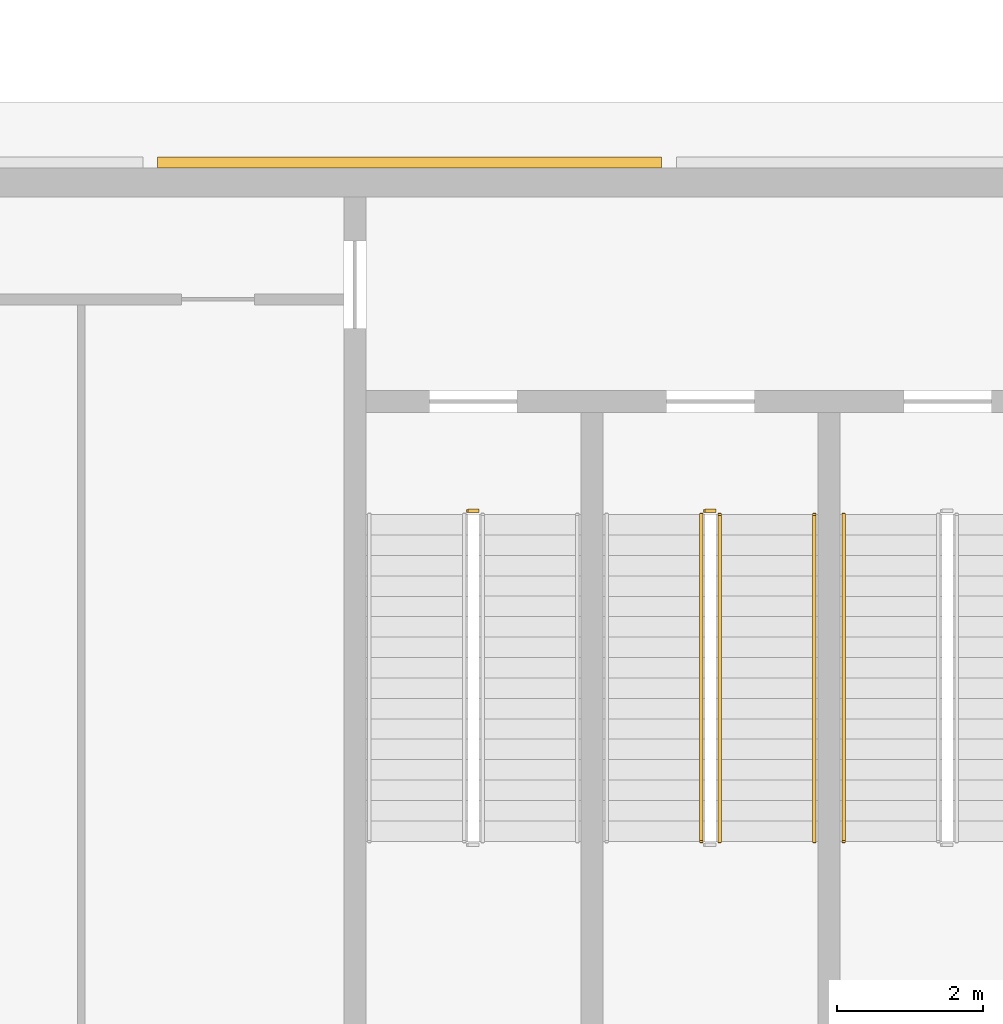
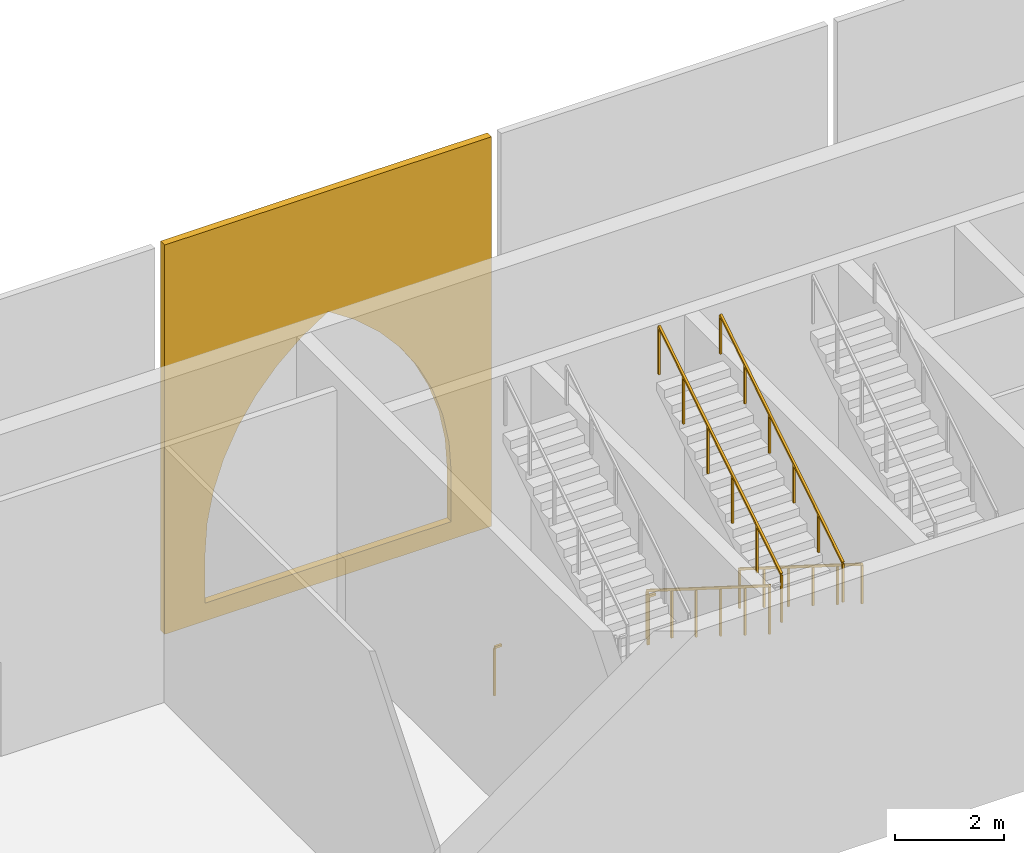
# One storey, part 48 of 74: 6 railings, 1 covering.
"""IFC4 building model written with IfcOpenShell, lengths in metres."""

from ifc_helpers import new_model, si_unit, direction, frame, origin, origin_2d, place, context, subcontext, project, spatial, polyline, rectangle, outline, extrude, material, layer, layer_set, type_object, element, save


model = new_model("IFC4")

# Units and contexts
model_context = context("Model", 3, precision=1e-05, world=origin(), true_north=direction((0.0, 1.0)))
body_context = subcontext(model_context, "Body", "Model", "MODEL_VIEW")
ifc_project = project(units=[si_unit("LENGTHUNIT", "METRE"), si_unit("AREAUNIT", "SQUARE_METRE"), si_unit("VOLUMEUNIT", "CUBIC_METRE"), si_unit("PLANEANGLEUNIT", "RADIAN"), si_unit("MASSUNIT", "GRAM", prefix="KILO")], contexts=[model_context])

# Site, building, storey
site_placement = place(None, origin())
site = spatial("IfcSite", under=ifc_project, at=site_placement, CompositionType="ELEMENT")
building_placement = place(site_placement, origin())
building = spatial("IfcBuilding", under=site, at=building_placement, Name="Noorbagh Ring Tower", CompositionType="ELEMENT")
storey_placement = place(building_placement, frame((0.0, 0.0, 13.5)))
storey = spatial("IfcBuildingStorey", under=building, at=storey_placement, Name="L02", CompositionType="ELEMENT", Elevation=13.5)

# Covering
ifc_material_1 = material(Name="Red sandstone cladding", Category="masonry")
ifc_layer = layer(ifc_material_1, 0.14990234375)
ifc_layer_set = layer_set([ifc_layer], Name="Red sandstone cladding")
covering_type = type_object("IfcCoveringType", Name="STH-BLIND", PredefinedType="USERDEFINED", material=ifc_layer_set)
covering_placement = place(storey_placement, frame((-124.04443359375, 31.14990234375, 0.0), z_axis=(0.0, 1.0, 0.0), x_axis=(-1.0, 0.0, 0.0)))
element("IfcCovering", 1, at=covering_placement, inside=storey, type_object=covering_type, Name="Blind arch bay", ObjectType="ARCH", PredefinedType="USERDEFINED", context=body_context, shape_type="SweptSolid", body=[
    extrude(outline(polyline([(0.0, 0.0), (6.9111328125, 0.0), (6.9111328125, 8.699951171875), (0.0, 8.699951171875), (0.0, 0.0)]), holes=[polyline([(0.855712890625, 0.39990234375), (0.855712890625, 1.5), (0.900146484375, 2.1787109375), (1.03271484375, 2.845947265625), (1.25146484375, 3.489990234375), (1.55224609375, 4.10009765625), (1.93017578125, 4.66552734375), (2.378662109375, 5.177001953125), (2.889892578125, 5.62548828125), (3.45556640625, 6.00341796875), (4.021240234375, 5.62548828125), (4.53271484375, 5.177001953125), (4.98095703125, 4.66552734375), (5.35888671875, 4.10009765625), (5.659912109375, 3.489990234375), (5.87841796875, 2.845947265625), (6.010986328125, 2.1787109375), (6.0556640625, 1.5), (6.0556640625, 0.39990234375), (0.855712890625, 0.39990234375)])]), origin(), (0.0, 0.0, -1.0), 0.14990234375),
])

# Railings
ifc_material_2 = material(Name="Stainless steel", Category="steel")
railing_type_1 = type_object("IfcRailingType", Name="TH-STAIR-GUARD", PredefinedType="GUARDRAIL", material=ifc_material_2)
railing_1_placement = place(storey_placement, frame((-123.5, 26.25, 0.176513671875)))
element("IfcRailing", 2, at=railing_1_placement, inside=storey, type_object=railing_type_1, Name="L02 TSN1 stair guard 1", PredefinedType="GUARDRAIL", context=body_context, shape_type="SweptSolid", body=[
    extrude(rectangle(XDim=0.048095703125, YDim=0.048095703125, at=origin_2d()), frame((0.0, 0.0, 1.076171875), z_axis=(0.0, -0.845997938375, 0.533186166611), x_axis=(1.0, 0.0, 0.0)), (0.0, 0.0, 1.0), 5.29541015625),
    extrude(rectangle(XDim=0.0419921875, YDim=0.0419921875, at=origin_2d()), origin(), (0.0, 0.0, 1.0), 1.052001953125),
    extrude(rectangle(XDim=0.0419921875, YDim=0.0419921875, at=origin_2d()), frame((0.0, -0.89599609375, 0.564697265625)), (0.0, 0.0, 1.0), 1.052001953125),
    extrude(rectangle(XDim=0.0419921875, YDim=0.0419921875, at=origin_2d()), frame((0.0, -1.7919921875, 1.12939453125)), (0.0, 0.0, 1.0), 1.052001953125),
    extrude(rectangle(XDim=0.0419921875, YDim=0.0419921875, at=origin_2d()), frame((0.0, -2.68798828125, 1.694091796875)), (0.0, 0.0, 1.0), 1.052001953125),
    extrude(rectangle(XDim=0.0419921875, YDim=0.0419921875, at=origin_2d()), frame((0.0, -3.583984375, 2.2587890625)), (0.0, 0.0, 1.0), 1.052001953125),
    extrude(rectangle(XDim=0.0419921875, YDim=0.0419921875, at=origin_2d()), frame((0.0, -4.47998046875, 2.823486328125)), (0.0, 0.0, 1.0), 1.052001953125),
])
railing_2_placement = place(storey_placement, frame((-123.25, 21.77001953125, 3.176513671875)))
element("IfcRailing", 3, at=railing_2_placement, inside=storey, type_object=railing_type_1, Name="L02 TSN1 stair guard 3", PredefinedType="GUARDRAIL", context=body_context, shape_type="SweptSolid", body=[
    extrude(rectangle(XDim=0.048095703125, YDim=0.048095703125, at=origin_2d()), frame((0.0, 0.0, 1.076171875), z_axis=(0.0, 0.845997938375, 0.533186166611), x_axis=(-1.0, 0.0, 0.0)), (0.0, 0.0, 1.0), 5.29541015625),
    extrude(rectangle(XDim=0.0419921875, YDim=0.0419921875, at=origin_2d()), origin(), (0.0, 0.0, 1.0), 1.052001953125),
    extrude(rectangle(XDim=0.0419921875, YDim=0.0419921875, at=origin_2d()), frame((0.0, 0.89599609375, 0.564697265625)), (0.0, 0.0, 1.0), 1.052001953125),
    extrude(rectangle(XDim=0.0419921875, YDim=0.0419921875, at=origin_2d()), frame((0.0, 1.7919921875, 1.12939453125)), (0.0, 0.0, 1.0), 1.052001953125),
    extrude(rectangle(XDim=0.0419921875, YDim=0.0419921875, at=origin_2d()), frame((0.0, 2.68798828125, 1.694091796875)), (0.0, 0.0, 1.0), 1.052001953125),
    extrude(rectangle(XDim=0.0419921875, YDim=0.0419921875, at=origin_2d()), frame((0.0, 3.583984375, 2.2587890625)), (0.0, 0.0, 1.0), 1.052001953125),
    extrude(rectangle(XDim=0.0419921875, YDim=0.0419921875, at=origin_2d()), frame((0.0, 4.47998046875, 2.823486328125)), (0.0, 0.0, 1.0), 1.052001953125),
])
for number, where, name in (
    (4, (-123.449951171875, 26.300048828125, 0.0), "L02 TSN1 stair guard 4"),
    (5, (-126.699951171875, 26.300048828125, 0.0), "L02 TSN3 stair guard 4"),
):
    element("IfcRailing", number, at=place(storey_placement, frame(where)), inside=storey, type_object=railing_type_1, Name=name, PredefinedType="GUARDRAIL", context=body_context, shape_type="SweptSolid", body=[
        extrude(rectangle(XDim=0.048095703125, YDim=0.048095703125, at=origin_2d()), frame((0.0, 0.0, 1.076171875), z_axis=(1.0, 0.0, 0.0), x_axis=(0.0, 1.0, 0.0)), (0.0, 0.0, 1.0), 0.14990234375),
        extrude(rectangle(XDim=0.0419921875, YDim=0.0419921875, at=origin_2d()), origin(), (0.0, 0.0, 1.0), 1.052001953125),
    ])
ifc_material_3 = material(Name="Stainless steel", Category="steel")
railing_type_2 = type_object("IfcRailingType", Name="TH-STAIR-HANDRAIL", PredefinedType="HANDRAIL", material=ifc_material_3)
railing_3_placement = place(storey_placement, frame((-121.949951171875, 21.77001953125, 3.176513671875)))
element("IfcRailing", 6, at=railing_3_placement, inside=storey, type_object=railing_type_2, Name="L02 TSN1 stair handrail 2", PredefinedType="HANDRAIL", context=body_context, shape_type="SweptSolid", body=[
    extrude(rectangle(XDim=0.048095703125, YDim=0.048095703125, at=origin_2d()), frame((0.0, 0.0, 0.8759765625), z_axis=(0.0, 0.845997938375, 0.533186166611), x_axis=(-1.0, 0.0, 0.0)), (0.0, 0.0, 1.0), 5.29541015625),
    extrude(rectangle(XDim=0.0419921875, YDim=0.0419921875, at=origin_2d()), origin(), (0.0, 0.0, 1.0), 0.851806640625),
    extrude(rectangle(XDim=0.0419921875, YDim=0.0419921875, at=origin_2d()), frame((0.0, 0.89599609375, 0.564697265625)), (0.0, 0.0, 1.0), 0.851806640625),
    extrude(rectangle(XDim=0.0419921875, YDim=0.0419921875, at=origin_2d()), frame((0.0, 1.7919921875, 1.12939453125)), (0.0, 0.0, 1.0), 0.851806640625),
    extrude(rectangle(XDim=0.0419921875, YDim=0.0419921875, at=origin_2d()), frame((0.0, 2.68798828125, 1.694091796875)), (0.0, 0.0, 1.0), 0.851806640625),
    extrude(rectangle(XDim=0.0419921875, YDim=0.0419921875, at=origin_2d()), frame((0.0, 3.583984375, 2.2587890625)), (0.0, 0.0, 1.0), 0.851806640625),
    extrude(rectangle(XDim=0.0419921875, YDim=0.0419921875, at=origin_2d()), frame((0.0, 4.47998046875, 2.823486328125)), (0.0, 0.0, 1.0), 0.851806640625),
])
railing_4_placement = place(storey_placement, frame((-121.550048828125, 26.25, 0.176513671875)))
element("IfcRailing", 7, at=railing_4_placement, inside=storey, type_object=railing_type_2, Name="L02 TSN2 stair handrail 1", PredefinedType="HANDRAIL", context=body_context, shape_type="SweptSolid", body=[
    extrude(rectangle(XDim=0.048095703125, YDim=0.048095703125, at=origin_2d()), frame((0.0, 0.0, 0.8759765625), z_axis=(0.0, -0.845997938375, 0.533186166611), x_axis=(1.0, 0.0, 0.0)), (0.0, 0.0, 1.0), 5.29541015625),
    extrude(rectangle(XDim=0.0419921875, YDim=0.0419921875, at=origin_2d()), origin(), (0.0, 0.0, 1.0), 0.851806640625),
    extrude(rectangle(XDim=0.0419921875, YDim=0.0419921875, at=origin_2d()), frame((0.0, -0.89599609375, 0.564697265625)), (0.0, 0.0, 1.0), 0.851806640625),
    extrude(rectangle(XDim=0.0419921875, YDim=0.0419921875, at=origin_2d()), frame((0.0, -1.7919921875, 1.12939453125)), (0.0, 0.0, 1.0), 0.851806640625),
    extrude(rectangle(XDim=0.0419921875, YDim=0.0419921875, at=origin_2d()), frame((0.0, -2.68798828125, 1.694091796875)), (0.0, 0.0, 1.0), 0.851806640625),
    extrude(rectangle(XDim=0.0419921875, YDim=0.0419921875, at=origin_2d()), frame((0.0, -3.583984375, 2.2587890625)), (0.0, 0.0, 1.0), 0.851806640625),
    extrude(rectangle(XDim=0.0419921875, YDim=0.0419921875, at=origin_2d()), frame((0.0, -4.47998046875, 2.823486328125)), (0.0, 0.0, 1.0), 0.851806640625),
])

save(model, "model.ifc")
